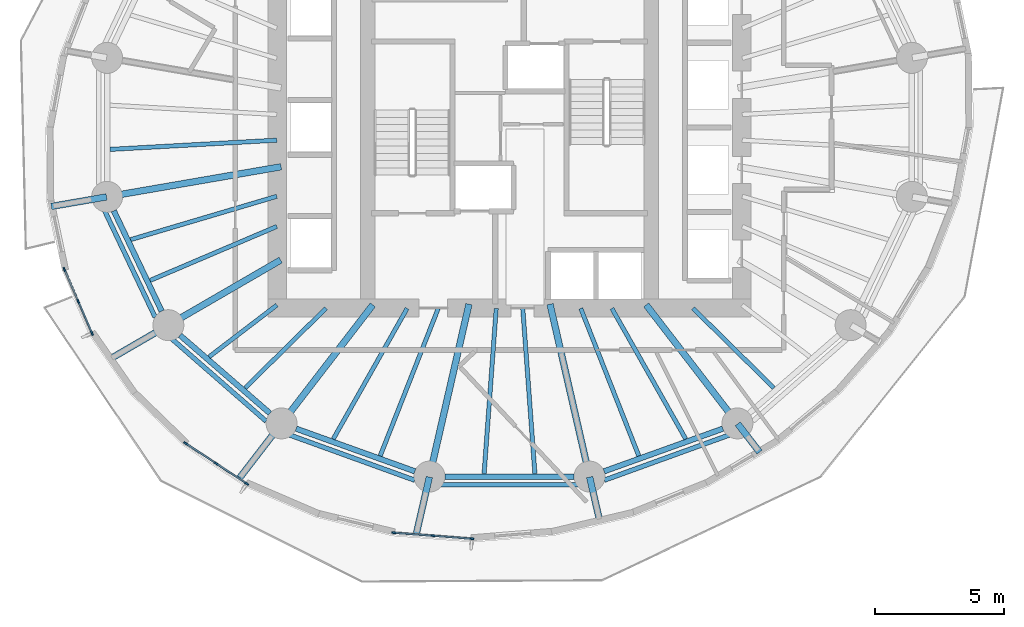
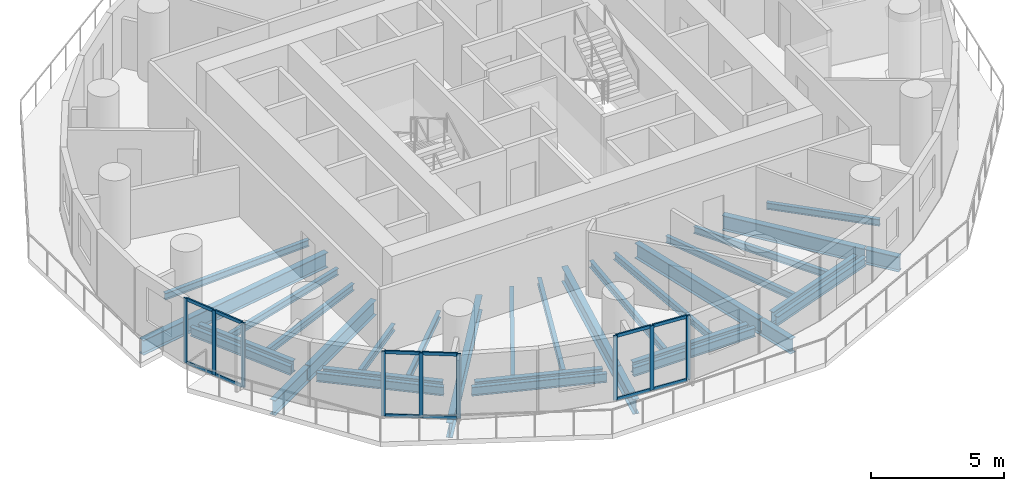
# One storey, part 2 of 14: 34 beams, 21 members, 3 elements without a shape of their own.
"""IFC4 building model written with IfcOpenShell, lengths in metres."""

import ifcopenshell
import ifcopenshell.guid

model = None  # the IFC model being written
_history = None  # IfcOwnerHistory: only IFC2X3 demands one
_inside = {}  # id of a spatial element -> (the spatial element, [elements in it])
_under = {}  # id of a project, library or spatial element -> (it, [spatial elements below it])
_declared = {}  # id of a project -> (the project, [libraries it declares])
_typed = {}  # id of a type object -> (the type object, [elements of that type])
_made_of = {}  # id of a material, layer set ... -> (it, [elements and type objects made of it])


def new_model(schema):
    """Start an empty IFC model of exactly this schema.

    Asked for "IFC4X3", IfcOpenShell would pick the latest addendum, in which some entities
    have other attributes; the version numbers below select the first issue.
    IFC2X3 requires an IfcOwnerHistory on every rooted entity: one is made here for all.
    """
    global model, _history
    if schema == "IFC4X3":
        model = ifcopenshell.file(schema_version=(4, 3, 0, 0))
    else:
        model = ifcopenshell.file(schema=schema)
    _inside.clear()
    _under.clear()
    _declared.clear()
    _typed.clear()
    _made_of.clear()
    _history = None
    if model.schema == "IFC2X3":
        org = make("IfcOrganization", Name="unknown")
        user = make(
            "IfcPersonAndOrganization",
            ThePerson=make("IfcPerson", FamilyName="unknown"),
            TheOrganization=org,
        )
        app = make(
            "IfcApplication",
            ApplicationDeveloper=org,
            Version="unknown",
            ApplicationFullName="unknown",
            ApplicationIdentifier="unknown",
        )
        _history = make(
            "IfcOwnerHistory",
            OwningUser=user,
            OwningApplication=app,
            ChangeAction="ADDED",
            CreationDate=0,
        )
    return model


def make(cls, **values):
    """One entity of the class cls with the attributes given. An attribute that is None is left unset."""
    return model.create_entity(
        cls, **{name: value for name, value in values.items() if value is not None}
    )


def rooted(cls, **values):
    """An entity with a GlobalId (a new one), such as an element, a storey or a relation."""
    return make(cls, GlobalId=ifcopenshell.guid.new(), OwnerHistory=_history, **values)


def si_unit(unit_type, name, prefix=None):
    """IfcSIUnit, for example si_unit("LENGTHUNIT", "METRE", prefix="MILLI")."""
    return make("IfcSIUnit", UnitType=unit_type, Prefix=prefix, Name=name)


def assignment(units):
    """IfcUnitAssignment: the units of a project."""
    return None if units is None else make("IfcUnitAssignment", Units=units)


def point(xyz):
    """IfcCartesianPoint."""
    return None if xyz is None else make("IfcCartesianPoint", Coordinates=xyz)


def direction(xyz):
    """IfcDirection."""
    return None if xyz is None else make("IfcDirection", DirectionRatios=xyz)


def frame(location, z_axis=None, x_axis=None):
    """IfcAxis2Placement3D, a coordinate frame: its origin and axes. An axis left out is left unset."""
    return make(
        "IfcAxis2Placement3D",
        Location=point(location),
        Axis=direction(z_axis),
        RefDirection=direction(x_axis),
    )


def frame_2d(location, x_axis=None):
    """IfcAxis2Placement2D, a coordinate frame in the plane: its origin and x axis."""
    return make(
        "IfcAxis2Placement2D", Location=point(location), RefDirection=direction(x_axis)
    )


def origin():
    """The frame at (0, 0, 0) with its axes left unset."""
    return frame((0.0, 0.0, 0.0))


def origin_2d():
    """The frame at (0, 0) in the plane with its x axis left unset."""
    return frame_2d((0.0, 0.0))


def place(relative_to, where):
    """IfcLocalPlacement: puts the frame where relative to a parent placement (None: the world)."""
    return make(
        "IfcLocalPlacement", PlacementRelTo=relative_to, RelativePlacement=where
    )


def context(
    kind, dimensions, precision=None, world=None, true_north=None, identifier=None
):
    """IfcGeometricRepresentationContext, for example the 3D "Model" context."""
    return make(
        "IfcGeometricRepresentationContext",
        ContextIdentifier=identifier,
        ContextType=kind,
        CoordinateSpaceDimension=dimensions,
        Precision=precision,
        WorldCoordinateSystem=world,
        TrueNorth=true_north,
    )


def subcontext(parent, identifier, kind, view, scale=None):
    """IfcGeometricRepresentationSubContext, for example "Body" below "Model"."""
    return make(
        "IfcGeometricRepresentationSubContext",
        ContextIdentifier=identifier,
        ContextType=kind,
        ParentContext=parent,
        TargetScale=scale,
        TargetView=view,
    )


def project(units=None, contexts=None):
    """IfcProject with its units and contexts."""
    return rooted(
        "IfcProject",
        Name="project",
        RepresentationContexts=contexts,
        UnitsInContext=assignment(units),
    )


def spatial(cls, under=None, at=None, **own):
    """A site, building, storey or space (cls), placed at a placement, below another one or the project."""
    s = rooted(cls, ObjectPlacement=at, **own)
    if under is not None:
        _under.setdefault(under.id(), (under, []))[1].append(s)
    return s


def profile(cls, at=None, kind="AREA", **sizes):
    """A parametric profile (cls). Its sizes go by their IFC names, for example OverallWidth=200.0."""
    return make(cls, ProfileType=kind, Position=at, **sizes)


def rectangle(**sizes):
    """IfcRectangleProfileDef."""
    return profile("IfcRectangleProfileDef", **sizes)


def i_section(**sizes):
    """IfcIShapeProfileDef."""
    return profile("IfcIShapeProfileDef", **sizes)


def extrude(swept, where, along, depth):
    """IfcExtrudedAreaSolid: the profile swept, set in the frame where, extruded along a direction by depth."""
    return make(
        "IfcExtrudedAreaSolid",
        SweptArea=swept,
        Position=where,
        ExtrudedDirection=direction(along),
        Depth=depth,
    )


def shape(context_of_items, identifier, shape_type, items):
    """IfcShapeRepresentation: the items that make up one representation, for example the "Body"."""
    return make(
        "IfcShapeRepresentation",
        ContextOfItems=context_of_items,
        RepresentationIdentifier=identifier,
        RepresentationType=shape_type,
        Items=items,
    )


def material(Name=None, Category=None):
    """IfcMaterial."""
    return make("IfcMaterial", Name=Name, Category=Category)


def material_profile(
    of_material, cross_section, Name=None, Category=None, Priority=None
):
    """IfcMaterialProfile: a cross section and its material."""
    return make(
        "IfcMaterialProfile",
        Name=Name,
        Material=of_material,
        Profile=cross_section,
        Priority=Priority,
        Category=Category,
    )


def profile_set(profiles, Name=None, composite=None):
    """IfcMaterialProfileSet."""
    return make(
        "IfcMaterialProfileSet",
        Name=Name,
        MaterialProfiles=profiles,
        CompositeProfile=composite,
    )


def made_of(thing, what):
    """Note that an element or type object is made of a material, layer set ...; save() writes the relation."""
    if what is not None:
        _made_of.setdefault(what.id(), (what, []))[1].append(thing)
    return thing


def type_object(cls, material=None, **own):
    """A type object (cls), such as IfcWallType, which elements share."""
    return made_of(rooted(cls, **own), material)


def element(
    cls,
    number,
    at=None,
    inside=None,
    cuts=None,
    type_object=None,
    material=None,
    context=None,
    identifier="Body",
    shape_type=None,
    held_by="IfcProductDefinitionShape",
    body=None,
    shapes=None,
    **own,
):
    """One element of the class cls, such as IfcWall. Its Tag is "e" and its number.

    at: its placement. inside: the storey or other place that contains it. cuts: it is an
    opening in that element (IfcRelVoidsElement). A single representation is given by context,
    identifier, shape_type and body (its items); several are given by shapes. held_by: the class
    of the entity that holds the representations. save() writes the other relations.
    """
    e = rooted(cls, Tag="e%d" % number, ObjectPlacement=at, **own)
    if body is not None:
        shapes = [shape(context, identifier, shape_type, body)]
    if shapes is not None:
        e.Representation = make(held_by, Representations=shapes)
    if inside is not None:
        _inside.setdefault(inside.id(), (inside, []))[1].append(e)
    if cuts is not None:
        rooted(
            "IfcRelVoidsElement", RelatingBuildingElement=cuts, RelatedOpeningElement=e
        )
    if type_object is not None:
        _typed.setdefault(type_object.id(), (type_object, []))[1].append(e)
    return made_of(e, material)


def aggregate(whole, parts):
    """IfcRelAggregates: a whole, such as a stair, and the parts it consists of."""
    return rooted("IfcRelAggregates", RelatingObject=whole, RelatedObjects=parts)


def save(model, path):
    """Write the relations noted so far, then the file.

    IfcRelAggregates (storeys below a building ...), IfcRelContainedInSpatialStructure (elements
    in a storey), IfcRelDefinesByType, IfcRelAssociatesMaterial and IfcRelDeclares: one each for
    every whole, place, type object, material and project.
    """
    for whole, parts in _under.values():
        aggregate(whole, parts)
    for where, things in _inside.values():
        rooted(
            "IfcRelContainedInSpatialStructure",
            RelatedElements=things,
            RelatingStructure=where,
        )
    for kind, things in _typed.values():
        rooted("IfcRelDefinesByType", RelatedObjects=things, RelatingType=kind)
    for what, things in _made_of.values():
        rooted("IfcRelAssociatesMaterial", RelatedObjects=things, RelatingMaterial=what)
    for by, libraries in _declared.values():
        rooted("IfcRelDeclares", RelatingContext=by, RelatedDefinitions=libraries)
    model.write(path)


model = new_model("IFC4")

# Units and contexts
model_context = context("Model", 3, precision=1e-05, world=origin(), true_north=direction((0.0, 1.0)))
body_context = subcontext(model_context, "Body", "Model", "MODEL_VIEW")
ifc_project = project(units=[si_unit("LENGTHUNIT", "METRE"), si_unit("AREAUNIT", "SQUARE_METRE"), si_unit("VOLUMEUNIT", "CUBIC_METRE"), si_unit("PLANEANGLEUNIT", "RADIAN"), si_unit("MASSUNIT", "GRAM", prefix="KILO")], contexts=[model_context])

# Site, building, storey
site_placement = place(None, origin())
site = spatial("IfcSite", under=ifc_project, at=site_placement, CompositionType="ELEMENT")
building_placement = place(site_placement, origin())
building = spatial("IfcBuilding", under=site, at=building_placement, Name="Veldorim Arch Residences", CompositionType="ELEMENT")
storey_placement = place(building_placement, frame((0.0, 0.0, 80.47998046875)))
storey = spatial("IfcBuildingStorey", under=building, at=storey_placement, Name="L23", CompositionType="ELEMENT", Elevation=80.47998046875)

# Beams
ifc_material_1 = material(Name="Steel S355", Category="steel")
ifc_material_profile_1 = material_profile(ifc_material_1, i_section(OverallWidth=0.2119140625, OverallDepth=0.54443359375, WebThickness=0.0126953125, FlangeThickness=0.021240234375, at=origin_2d()), Name="UB533x210x122")
ifc_profile_set_1 = profile_set([ifc_material_profile_1], Name="Steel S355")
beam_type_1 = type_object("IfcBeamType", Name="Structural Steel Beam UB533x210x122", PredefinedType="BEAM", material=ifc_profile_set_1)
beam_1_placement = place(storey_placement, frame((16.663818359375, 20.766357421875, -0.51220703125), z_axis=(0.430720154476, -0.902485539235, 0.0), x_axis=(0.902485539235, 0.430720154476, 0.0)))
element("IfcBeam", 1, at=beam_1_placement, inside=storey, type_object=beam_type_1, Name="L23 perimeter ring tie beam 09", PredefinedType="BEAM", context=body_context, shape_type="SweptSolid", body=[
    extrude(i_section(OverallWidth=0.2119140625, OverallDepth=0.54443359375, WebThickness=0.0126953125, FlangeThickness=0.021240234375, at=origin_2d()), origin(), (0.0, 0.0, 1.0), 4.312255859375),
])
beam_2_placement = place(storey_placement, frame((19.232666015625, 15.939697265625, -0.51220703125), z_axis=(0.755244952556, -0.655442645576, 0.0), x_axis=(0.655442645576, 0.755244952556, 0.0)))
element("IfcBeam", 2, at=beam_2_placement, inside=storey, type_object=beam_type_1, Name="L23 perimeter ring tie beam 10", PredefinedType="BEAM", context=body_context, shape_type="SweptSolid", body=[
    extrude(i_section(OverallWidth=0.2119140625, OverallDepth=0.54443359375, WebThickness=0.0126953125, FlangeThickness=0.021240234375, at=origin_2d()), origin(), (0.0, 0.0, 1.0), 4.608642578125),
])
beam_3_placement = place(storey_placement, frame((23.73095703125, 12.32275390625, -0.51220703125), z_axis=(0.941041944493, -0.338289903343, 0.0), x_axis=(0.338289903343, 0.941041944493, 0.0)))
element("IfcBeam", 3, at=beam_3_placement, inside=storey, type_object=beam_type_1, Name="L23 perimeter ring tie beam 11", PredefinedType="BEAM", context=body_context, shape_type="SweptSolid", body=[
    extrude(i_section(OverallWidth=0.2119140625, OverallDepth=0.54443359375, WebThickness=0.0126953125, FlangeThickness=0.021240234375, at=origin_2d()), origin(), (0.0, 0.0, 1.0), 4.890869140625),
])
beam_4_placement = place(storey_placement, frame((29.498046875, 10.465087890625, -0.51220703125), z_axis=(1.0, 0.0, 0.0), x_axis=(0.0, 1.0, 0.0)))
element("IfcBeam", 4, at=beam_4_placement, inside=storey, type_object=beam_type_1, Name="L23 perimeter ring tie beam 12", PredefinedType="BEAM", context=body_context, shape_type="SweptSolid", body=[
    extrude(i_section(OverallWidth=0.2119140625, OverallDepth=0.54443359375, WebThickness=0.0126953125, FlangeThickness=0.021240234375, at=origin_2d()), origin(), (0.0, 0.0, 1.0), 5.00390625),
])
beam_5_placement = place(storey_placement, frame((35.66650390625, 10.668212890625, -0.51220703125), z_axis=(0.941041944493, 0.338289903343, 0.0), x_axis=(-0.338289903343, 0.941041944493, 0.0)))
element("IfcBeam", 5, at=beam_5_placement, inside=storey, type_object=beam_type_1, Name="L23 perimeter ring tie beam 13", PredefinedType="BEAM", context=body_context, shape_type="SweptSolid", body=[
    extrude(i_section(OverallWidth=0.2119140625, OverallDepth=0.54443359375, WebThickness=0.0126953125, FlangeThickness=0.021240234375, at=origin_2d()), origin(), (0.0, 0.0, 1.0), 4.890869140625),
])
ifc_material_2 = material(Name="Steel S355", Category="steel")
ifc_material_profile_2 = material_profile(ifc_material_2, i_section(OverallWidth=0.25439453125, OverallDepth=0.6875, WebThickness=0.01318359375, FlangeThickness=0.02099609375, at=origin_2d()), Name="UB686x254x152")
ifc_profile_set_2 = profile_set([ifc_material_profile_2], Name="Steel S355")
beam_type_2 = type_object("IfcBeamType", Name="Structural Steel GIRDER UB686x254x152", PredefinedType="USERDEFINED", material=ifc_profile_set_2)
beam_6_placement = place(storey_placement, frame((23.147705078125, 22.4716796875, -0.583740234375), z_axis=(-0.985426622718, -0.17010106184, 0.0), x_axis=(0.17010106184, -0.985426622718, 0.0)))
element("IfcBeam", 6, at=beam_6_placement, inside=storey, type_object=beam_type_2, Name="L23 radial floor girder 09", ObjectType="GIRDER", PredefinedType="USERDEFINED", context=body_context, shape_type="SweptSolid", body=[
    extrude(i_section(OverallWidth=0.25439453125, OverallDepth=0.6875, WebThickness=0.01318359375, FlangeThickness=0.02099609375, at=origin_2d()), origin(), (0.0, 0.0, 1.0), 6.82177734375),
])
beam_7_placement = place(storey_placement, frame((16.3857421875, 21.304443359375, -0.583740234375), z_axis=(-0.985415364323, -0.170166270909, 0.0), x_axis=(0.170166270909, -0.985415364323, 0.0)))
element("IfcBeam", 7, at=beam_7_placement, inside=storey, type_object=beam_type_2, Name="L23 radial edge cantilever girder 09", ObjectType="GIRDER", PredefinedType="USERDEFINED", context=body_context, shape_type="SweptSolid", body=[
    extrude(i_section(OverallWidth=0.25439453125, OverallDepth=0.6875, WebThickness=0.01318359375, FlangeThickness=0.02099609375, at=origin_2d()), origin(), (0.0, 0.0, 1.0), 2.175048828125),
])
beam_8_placement = place(storey_placement, frame((23.1298828125, 18.85595703125, -0.583740234375), z_axis=(-0.865048957682, -0.501687453314, 0.0), x_axis=(0.501687453314, -0.865048957682, 0.0)))
element("IfcBeam", 8, at=beam_8_placement, inside=storey, type_object=beam_type_2, Name="L23 radial floor girder 10", ObjectType="GIRDER", PredefinedType="USERDEFINED", context=body_context, shape_type="SweptSolid", body=[
    extrude(i_section(OverallWidth=0.25439453125, OverallDepth=0.6875, WebThickness=0.01318359375, FlangeThickness=0.02099609375, at=origin_2d()), origin(), (0.0, 0.0, 1.0), 5.009033203125),
])
beam_9_placement = place(storey_placement, frame((18.76220703125, 16.322998046875, -0.583740234375), z_axis=(-0.86504998688, -0.501685678687, 0.0), x_axis=(0.501685678687, -0.86504998688, 0.0)))
element("IfcBeam", 9, at=beam_9_placement, inside=storey, type_object=beam_type_2, Name="L23 radial edge cantilever girder 10", ObjectType="GIRDER", PredefinedType="USERDEFINED", context=body_context, shape_type="SweptSolid", body=[
    extrude(i_section(OverallWidth=0.25439453125, OverallDepth=0.6875, WebThickness=0.01318359375, FlangeThickness=0.02099609375, at=origin_2d()), origin(), (0.0, 0.0, 1.0), 2.5927734375),
])
beam_10_placement = place(storey_placement, frame((26.702392578125, 17.118896484375, -0.583740234375), z_axis=(-0.609994628196, -0.792405548676, 0.0), x_axis=(0.792405548676, -0.609994628196, 0.0)))
element("IfcBeam", 10, at=beam_10_placement, inside=storey, type_object=beam_type_2, Name="L23 radial floor girder 11", ObjectType="GIRDER", PredefinedType="USERDEFINED", context=body_context, shape_type="SweptSolid", body=[
    extrude(i_section(OverallWidth=0.25439453125, OverallDepth=0.6875, WebThickness=0.01318359375, FlangeThickness=0.02099609375, at=origin_2d()), origin(), (0.0, 0.0, 1.0), 5.776611328125),
])
beam_11_placement = place(storey_placement, frame((23.154296875, 12.510009765625, -0.583740234375), z_axis=(-0.609966828657, -0.792426948014, 0.0), x_axis=(0.792426948014, -0.609966828657, 0.0)))
element("IfcBeam", 11, at=beam_11_placement, inside=storey, type_object=beam_type_2, Name="L23 radial edge cantilever girder 11", ObjectType="GIRDER", PredefinedType="USERDEFINED", context=body_context, shape_type="SweptSolid", body=[
    extrude(i_section(OverallWidth=0.25439453125, OverallDepth=0.6875, WebThickness=0.01318359375, FlangeThickness=0.02099609375, at=origin_2d()), origin(), (0.0, 0.0, 1.0), 2.672119140625),
])
beam_12_placement = place(storey_placement, frame((30.42919921875, 17.146240234375, -0.583740234375), z_axis=(-0.223374742148, -0.97473264261, 0.0), x_axis=(0.97473264261, -0.223374742148, 0.0)))
element("IfcBeam", 12, at=beam_12_placement, inside=storey, type_object=beam_type_2, Name="L23 radial floor girder 12", ObjectType="GIRDER", PredefinedType="USERDEFINED", context=body_context, shape_type="SweptSolid", body=[
    extrude(i_section(OverallWidth=0.25439453125, OverallDepth=0.6875, WebThickness=0.01318359375, FlangeThickness=0.02099609375, at=origin_2d()), origin(), (0.0, 0.0, 1.0), 6.834228515625),
])
beam_13_placement = place(storey_placement, frame((28.8935546875, 10.44580078125, -0.583740234375), z_axis=(-0.223344244507, -0.974739631104, 0.0), x_axis=(0.974739631104, -0.223344244507, 0.0)))
element("IfcBeam", 13, at=beam_13_placement, inside=storey, type_object=beam_type_2, Name="L23 radial edge cantilever girder 12", ObjectType="GIRDER", PredefinedType="USERDEFINED", context=body_context, shape_type="SweptSolid", body=[
    extrude(i_section(OverallWidth=0.25439453125, OverallDepth=0.6875, WebThickness=0.01318359375, FlangeThickness=0.02099609375, at=origin_2d()), origin(), (0.0, 0.0, 1.0), 2.271484375),
])
beam_14_placement = place(storey_placement, frame((33.57080078125, 17.146240234375, -0.583740234375), z_axis=(0.223374742148, -0.97473264261, 0.0), x_axis=(0.97473264261, 0.223374742148, 0.0)))
element("IfcBeam", 14, at=beam_14_placement, inside=storey, type_object=beam_type_2, Name="L23 radial floor girder 13", ObjectType="GIRDER", PredefinedType="USERDEFINED", context=body_context, shape_type="SweptSolid", body=[
    extrude(i_section(OverallWidth=0.25439453125, OverallDepth=0.6875, WebThickness=0.01318359375, FlangeThickness=0.02099609375, at=origin_2d()), origin(), (0.0, 0.0, 1.0), 6.834228515625),
])
beam_15_placement = place(storey_placement, frame((35.1064453125, 10.44580078125, -0.583740234375), z_axis=(0.223279477519, -0.974754469043, 0.0), x_axis=(0.974754469043, 0.223279477519, 0.0)))
element("IfcBeam", 15, at=beam_15_placement, inside=storey, type_object=beam_type_2, Name="L23 radial edge cantilever girder 13", ObjectType="GIRDER", PredefinedType="USERDEFINED", context=body_context, shape_type="SweptSolid", body=[
    extrude(i_section(OverallWidth=0.25439453125, OverallDepth=0.6875, WebThickness=0.01318359375, FlangeThickness=0.02099609375, at=origin_2d()), origin(), (0.0, 0.0, 1.0), 1.74951171875),
])
beam_16_placement = place(storey_placement, frame((37.297607421875, 17.118896484375, -0.583740234375), z_axis=(0.609994628196, -0.792405548676, 0.0), x_axis=(0.792405548676, 0.609994628196, 0.0)))
element("IfcBeam", 16, at=beam_16_placement, inside=storey, type_object=beam_type_2, Name="L23 radial floor girder 14", ObjectType="GIRDER", PredefinedType="USERDEFINED", context=body_context, shape_type="SweptSolid", body=[
    extrude(i_section(OverallWidth=0.25439453125, OverallDepth=0.6875, WebThickness=0.01318359375, FlangeThickness=0.02099609375, at=origin_2d()), origin(), (0.0, 0.0, 1.0), 5.776611328125),
])
beam_17_placement = place(storey_placement, frame((40.845703125, 12.510009765625, -0.583740234375), z_axis=(0.609991800873, -0.792407725144, 0.0), x_axis=(0.792407725144, 0.609991800873, 0.0)))
element("IfcBeam", 17, at=beam_17_placement, inside=storey, type_object=beam_type_2, Name="L23 radial edge cantilever girder 14", ObjectType="GIRDER", PredefinedType="USERDEFINED", context=body_context, shape_type="SweptSolid", body=[
    extrude(i_section(OverallWidth=0.25439453125, OverallDepth=0.6875, WebThickness=0.01318359375, FlangeThickness=0.02099609375, at=origin_2d()), origin(), (0.0, 0.0, 1.0), 1.38525390625),
])
ifc_material_3 = material(Name="Steel S355", Category="steel")
ifc_material_profile_3 = material_profile(ifc_material_3, i_section(OverallWidth=0.165771484375, OverallDepth=0.306640625, WebThickness=0.006591796875, FlangeThickness=0.01171875, at=origin_2d()), Name="UB305x165x46")
ifc_profile_set_3 = profile_set([ifc_material_profile_3], Name="Steel S355")
beam_type_3 = type_object("IfcBeamType", Name="Structural Steel Joist UB305x165x46", PredefinedType="JOIST", material=ifc_profile_set_3)
beam_18_placement = place(storey_placement, frame((22.97998046875, 23.501708984375, -0.393310546875), z_axis=(-0.99847713097, -0.055167190702, 0.0), x_axis=(0.055167190702, -0.99847713097, 0.0)))
element("IfcBeam", 18, at=beam_18_placement, inside=storey, type_object=beam_type_3, Name="L23 secondary radial floor joist 08-2", PredefinedType="JOIST", context=body_context, shape_type="SweptSolid", body=[
    extrude(i_section(OverallWidth=0.165771484375, OverallDepth=0.306640625, WebThickness=0.006591796875, FlangeThickness=0.01171875, at=origin_2d()), origin(), (0.0, 0.0, 1.0), 6.474365234375),
])
beam_19_placement = place(storey_placement, frame((22.980712890625, 21.326416015625, -0.393310546875), z_axis=(-0.958753061488, -0.284240333324, 0.0), x_axis=(0.284240333324, -0.958753061488, 0.0)))
element("IfcBeam", 19, at=beam_19_placement, inside=storey, type_object=beam_type_3, Name="L23 secondary radial floor joist 09-1", PredefinedType="JOIST", context=body_context, shape_type="SweptSolid", body=[
    extrude(i_section(OverallWidth=0.165771484375, OverallDepth=0.306640625, WebThickness=0.006591796875, FlangeThickness=0.01171875, at=origin_2d()), origin(), (0.0, 0.0, 1.0), 5.906005859375),
])
beam_20_placement = place(storey_placement, frame((22.981689453125, 20.158447265625, -0.393310546875), z_axis=(-0.919997395122, -0.391924473552, 0.0), x_axis=(0.391924473552, -0.919997395122, 0.0)))
element("IfcBeam", 20, at=beam_20_placement, inside=storey, type_object=beam_type_3, Name="L23 secondary radial floor joist 09-2", PredefinedType="JOIST", context=body_context, shape_type="SweptSolid", body=[
    extrude(i_section(OverallWidth=0.165771484375, OverallDepth=0.306640625, WebThickness=0.006591796875, FlangeThickness=0.01171875, at=origin_2d()), origin(), (0.0, 0.0, 1.0), 5.334716796875),
])
beam_21_placement = place(storey_placement, frame((22.984130859375, 17.111572265625, -0.393310546875), z_axis=(-0.794594763594, -0.60714014994, 0.0), x_axis=(0.60714014994, -0.794594763594, 0.0)))
element("IfcBeam", 21, at=beam_21_placement, inside=storey, type_object=beam_type_3, Name="L23 secondary radial floor joist 10-1", PredefinedType="JOIST", context=body_context, shape_type="SweptSolid", body=[
    extrude(i_section(OverallWidth=0.165771484375, OverallDepth=0.306640625, WebThickness=0.006591796875, FlangeThickness=0.01171875, at=origin_2d()), origin(), (0.0, 0.0, 1.0), 3.30419921875),
])
beam_22_placement = place(storey_placement, frame((24.885986328125, 16.986083984375, -0.393310546875), z_axis=(-0.712111629941, -0.702066255066, 0.0), x_axis=(0.702066255066, -0.712111629941, 0.0)))
element("IfcBeam", 22, at=beam_22_placement, inside=storey, type_object=beam_type_3, Name="L23 secondary radial floor joist 10-2", PredefinedType="JOIST", context=body_context, shape_type="SweptSolid", body=[
    extrude(i_section(OverallWidth=0.165771484375, OverallDepth=0.306640625, WebThickness=0.006591796875, FlangeThickness=0.01171875, at=origin_2d()), origin(), (0.0, 0.0, 1.0), 4.39892578125),
])
beam_23_placement = place(storey_placement, frame((28.03173828125, 16.982666015625, -0.393310546875), z_axis=(-0.492227411199, -0.870466642476, 0.0), x_axis=(0.870466642476, -0.492227411199, 0.0)))
element("IfcBeam", 23, at=beam_23_placement, inside=storey, type_object=beam_type_3, Name="L23 secondary radial floor joist 11-1", PredefinedType="JOIST", context=body_context, shape_type="SweptSolid", body=[
    extrude(i_section(OverallWidth=0.165771484375, OverallDepth=0.306640625, WebThickness=0.006591796875, FlangeThickness=0.01171875, at=origin_2d()), origin(), (0.0, 0.0, 1.0), 5.81494140625),
])
beam_24_placement = place(storey_placement, frame((29.238037109375, 16.9814453125, -0.393310546875), z_axis=(-0.366194870364, -0.930538186707, 0.0), x_axis=(0.930538186707, -0.366194870364, 0.0)))
element("IfcBeam", 24, at=beam_24_placement, inside=storey, type_object=beam_type_3, Name="L23 secondary radial floor joist 11-2", PredefinedType="JOIST", context=body_context, shape_type="SweptSolid", body=[
    extrude(i_section(OverallWidth=0.165771484375, OverallDepth=0.306640625, WebThickness=0.006591796875, FlangeThickness=0.01171875, at=origin_2d()), origin(), (0.0, 0.0, 1.0), 6.1396484375),
])
for number, where, z_axis, x_axis, name in (
    (25, (31.485107421875, 16.97998046875, -0.393310546875), (-0.073143494169, -0.997321427254, 0.0), (0.997321427254, -0.073143494169, 0.0), "L23 secondary radial floor joist 12-1"),
    (26, (32.514892578125, 16.97998046875, -0.393310546875), (0.073143494169, -0.997321427254, 0.0), (0.997321427254, 0.073143494169, 0.0), "L23 secondary radial floor joist 12-2"),
):
    element("IfcBeam", number, at=place(storey_placement, frame(where, z_axis=z_axis, x_axis=x_axis)), inside=storey, type_object=beam_type_3, Name=name, PredefinedType="JOIST", context=body_context, shape_type="SweptSolid", body=[
        extrude(i_section(OverallWidth=0.165771484375, OverallDepth=0.306640625, WebThickness=0.006591796875, FlangeThickness=0.01171875, at=origin_2d()), origin(), (0.0, 0.0, 1.0), 6.421875),
    ])
beam_25_placement = place(storey_placement, frame((34.761962890625, 16.9814453125, -0.393310546875), z_axis=(0.366194870364, -0.930538186707, 0.0), x_axis=(0.930538186707, 0.366194870364, 0.0)))
element("IfcBeam", 27, at=beam_25_placement, inside=storey, type_object=beam_type_3, Name="L23 secondary radial floor joist 13-1", PredefinedType="JOIST", context=body_context, shape_type="SweptSolid", body=[
    extrude(i_section(OverallWidth=0.165771484375, OverallDepth=0.306640625, WebThickness=0.006591796875, FlangeThickness=0.01171875, at=origin_2d()), origin(), (0.0, 0.0, 1.0), 6.1396484375),
])
beam_26_placement = place(storey_placement, frame((35.96826171875, 16.982666015625, -0.393310546875), z_axis=(0.492227411199, -0.870466642476, 0.0), x_axis=(0.870466642476, 0.492227411199, 0.0)))
element("IfcBeam", 28, at=beam_26_placement, inside=storey, type_object=beam_type_3, Name="L23 secondary radial floor joist 13-2", PredefinedType="JOIST", context=body_context, shape_type="SweptSolid", body=[
    extrude(i_section(OverallWidth=0.165771484375, OverallDepth=0.306640625, WebThickness=0.006591796875, FlangeThickness=0.01171875, at=origin_2d()), origin(), (0.0, 0.0, 1.0), 5.81494140625),
])
beam_27_placement = place(storey_placement, frame((39.114013671875, 16.986083984375, -0.393310546875), z_axis=(0.712111629941, -0.702066255066, 0.0), x_axis=(0.702066255066, 0.712111629941, 0.0)))
element("IfcBeam", 29, at=beam_27_placement, inside=storey, type_object=beam_type_3, Name="L23 secondary radial floor joist 14-1", PredefinedType="JOIST", context=body_context, shape_type="SweptSolid", body=[
    extrude(i_section(OverallWidth=0.165771484375, OverallDepth=0.306640625, WebThickness=0.006591796875, FlangeThickness=0.01171875, at=origin_2d()), origin(), (0.0, 0.0, 1.0), 4.39892578125),
])
ifc_material_4 = material(Name="Steel S355", Category="steel")
ifc_material_profile_4 = material_profile(ifc_material_4, i_section(OverallWidth=0.1787109375, OverallDepth=0.409423828125, WebThickness=0.0087890625, FlangeThickness=0.014404296875, at=origin_2d()), Name="UB406x178x67")
ifc_profile_set_4 = profile_set([ifc_material_profile_4], Name="Steel S355")
beam_type_4 = type_object("IfcBeamType", Name="Structural Steel Spandrel UB406x178x67", PredefinedType="SPANDREL", material=ifc_profile_set_4)
beam_28_placement = place(storey_placement, frame((16.306884765625, 20.774658203125, -0.464599609375), z_axis=(0.428857472204, -0.903372165021, 0.0), x_axis=(0.903372165021, 0.428857472204, 0.0)))
element("IfcBeam", 30, at=beam_28_placement, inside=storey, type_object=beam_type_4, Name="L23 perimeter chord spandrel beam 09", PredefinedType="SPANDREL", context=body_context, shape_type="SweptSolid", body=[
    extrude(i_section(OverallWidth=0.1787109375, OverallDepth=0.409423828125, WebThickness=0.0087890625, FlangeThickness=0.014404296875, at=origin_2d()), origin(), (0.0, 0.0, 1.0), 4.572021484375),
])
beam_29_placement = place(storey_placement, frame((18.891845703125, 15.8203125, -0.464599609375), z_axis=(0.753323239074, -0.65765043714, 0.0), x_axis=(0.65765043714, 0.753323239074, 0.0)))
element("IfcBeam", 31, at=beam_29_placement, inside=storey, type_object=beam_type_4, Name="L23 perimeter chord spandrel beam 10", PredefinedType="SPANDREL", context=body_context, shape_type="SweptSolid", body=[
    extrude(i_section(OverallWidth=0.1787109375, OverallDepth=0.409423828125, WebThickness=0.0087890625, FlangeThickness=0.014404296875, at=origin_2d()), origin(), (0.0, 0.0, 1.0), 4.879150390625),
])
beam_30_placement = place(storey_placement, frame((23.461669921875, 12.08447265625, -0.464599609375), z_axis=(0.940307501418, -0.340326024244, 0.0), x_axis=(0.340326024244, 0.940307501418, 0.0)))
element("IfcBeam", 32, at=beam_30_placement, inside=storey, type_object=beam_type_4, Name="L23 perimeter chord spandrel beam 11", PredefinedType="SPANDREL", context=body_context, shape_type="SweptSolid", body=[
    extrude(i_section(OverallWidth=0.1787109375, OverallDepth=0.409423828125, WebThickness=0.0087890625, FlangeThickness=0.014404296875, at=origin_2d()), origin(), (0.0, 0.0, 1.0), 5.175048828125),
])
beam_31_placement = place(storey_placement, frame((29.352294921875, 10.1435546875, -0.464599609375), z_axis=(1.0, 0.0, 0.0), x_axis=(0.0, 1.0, 0.0)))
element("IfcBeam", 33, at=beam_31_placement, inside=storey, type_object=beam_type_4, Name="L23 perimeter chord spandrel beam 12", PredefinedType="SPANDREL", context=body_context, shape_type="SweptSolid", body=[
    extrude(i_section(OverallWidth=0.1787109375, OverallDepth=0.409423828125, WebThickness=0.0087890625, FlangeThickness=0.014404296875, at=origin_2d()), origin(), (0.0, 0.0, 1.0), 5.29541015625),
])
beam_32_placement = place(storey_placement, frame((35.672119140625, 10.3232421875, -0.464599609375), z_axis=(0.940307501418, 0.340326024244, 0.0), x_axis=(-0.340326024244, 0.940307501418, 0.0)))
element("IfcBeam", 34, at=beam_32_placement, inside=storey, type_object=beam_type_4, Name="L23 perimeter chord spandrel beam 13", PredefinedType="SPANDREL", context=body_context, shape_type="SweptSolid", body=[
    extrude(i_section(OverallWidth=0.1787109375, OverallDepth=0.409423828125, WebThickness=0.0087890625, FlangeThickness=0.014404296875, at=origin_2d()), origin(), (0.0, 0.0, 1.0), 5.175048828125),
])

# Curtain wall, members
ifc_material_5 = material(Name="Aluminium", Category="aluminium")
curtain_wall_type = type_object("IfcCurtainWallType", Name="Zone 2 Solar-Control Unitised Curtain Wall", PredefinedType="NOTDEFINED", material=ifc_material_5)
curtain_wall_1_placement = place(storey_placement, origin())
curtain_wall_1 = element("IfcCurtainWall", 35, at=curtain_wall_1_placement, inside=storey, type_object=curtain_wall_type, Name="L23 unitised curtain wall bay 19", PredefinedType="NOTDEFINED")
ifc_material_6 = material(Name="Aluminium", Category="aluminium")
ifc_material_profile_5 = material_profile(ifc_material_6, rectangle(XDim=0.06494140625, YDim=0.1650390625, at=origin_2d()), Name="ALU_MUL_65x165")
ifc_profile_set_5 = profile_set([ifc_material_profile_5], Name="Aluminium")
member_type_1 = type_object("IfcMemberType", Name="Zone 2 Solar-Control Unitised Curtain Wall Mullion 65x165", PredefinedType="MULLION", material=ifc_profile_set_5)
member_1_placement = place(storey_placement, frame((15.8203125, 16.01953125, 0.0), z_axis=(0.0, 0.0, 1.0), x_axis=(-0.917796682643, -0.397050688615, 0.0)))
member_1 = element("IfcMember", 36, at=member_1_placement, type_object=member_type_1, Name="CW-Z2 mullion 1", PredefinedType="MULLION", context=body_context, shape_type="SweptSolid", body=[
    extrude(rectangle(XDim=0.06494140625, YDim=0.1650390625, at=origin_2d()), origin(), (0.0, 0.0, 1.0), 2.9599609375),
])
member_2_placement = place(storey_placement, frame((15.285888671875, 17.255126953125, 0.0), z_axis=(0.0, 0.0, 1.0), x_axis=(-0.917796682643, -0.397050688615, 0.0)))
member_2 = element("IfcMember", 37, at=member_2_placement, type_object=member_type_1, Name="CW-Z2 mullion 2", PredefinedType="MULLION", context=body_context, shape_type="SweptSolid", body=[
    extrude(rectangle(XDim=0.06494140625, YDim=0.1650390625, at=origin_2d()), origin(), (0.0, 0.0, 1.0), 2.9599609375),
])
member_3_placement = place(storey_placement, frame((14.751220703125, 18.49072265625, 0.0), z_axis=(0.0, 0.0, 1.0), x_axis=(-0.917796682643, -0.397050688615, 0.0)))
member_3 = element("IfcMember", 38, at=member_3_placement, type_object=member_type_1, Name="CW-Z2 mullion 3", PredefinedType="MULLION", context=body_context, shape_type="SweptSolid", body=[
    extrude(rectangle(XDim=0.06494140625, YDim=0.1650390625, at=origin_2d()), origin(), (0.0, 0.0, 1.0), 2.9599609375),
])

curtain_wall_2_placement = place(storey_placement, origin())
curtain_wall_2 = element("IfcCurtainWall", 39, at=curtain_wall_2_placement, inside=storey, type_object=curtain_wall_type, Name="L23 unitised curtain wall bay 22", PredefinedType="NOTDEFINED")
member_4_placement = place(storey_placement, frame((21.813720703125, 10.189697265625, 0.0), z_axis=(0.0, 0.0, 1.0), x_axis=(-0.551503414596, -0.834172634224, 0.0)))
member_4 = element("IfcMember", 40, at=member_4_placement, type_object=member_type_1, Name="CW-Z2 mullion 1", PredefinedType="MULLION", context=body_context, shape_type="SweptSolid", body=[
    extrude(rectangle(XDim=0.06494140625, YDim=0.1650390625, at=origin_2d()), origin(), (0.0, 0.0, 1.0), 2.9599609375),
])
member_5_placement = place(storey_placement, frame((20.6318359375, 10.970947265625, 0.0), z_axis=(0.0, 0.0, 1.0), x_axis=(-0.551503414596, -0.834172634224, 0.0)))
member_5 = element("IfcMember", 41, at=member_5_placement, type_object=member_type_1, Name="CW-Z2 mullion 2", PredefinedType="MULLION", context=body_context, shape_type="SweptSolid", body=[
    extrude(rectangle(XDim=0.06494140625, YDim=0.1650390625, at=origin_2d()), origin(), (0.0, 0.0, 1.0), 2.9599609375),
])
member_6_placement = place(storey_placement, frame((19.4501953125, 11.752197265625, 0.0), z_axis=(0.0, 0.0, 1.0), x_axis=(-0.551503414596, -0.834172634224, 0.0)))
member_6 = element("IfcMember", 42, at=member_6_placement, type_object=member_type_1, Name="CW-Z2 mullion 3", PredefinedType="MULLION", context=body_context, shape_type="SweptSolid", body=[
    extrude(rectangle(XDim=0.06494140625, YDim=0.1650390625, at=origin_2d()), origin(), (0.0, 0.0, 1.0), 2.9599609375),
])

curtain_wall_3_placement = place(storey_placement, origin())
curtain_wall_3 = element("IfcCurtainWall", 43, at=curtain_wall_3_placement, inside=storey, type_object=curtain_wall_type, Name="L23 unitised curtain wall bay 25", PredefinedType="NOTDEFINED")
member_7_placement = place(storey_placement, frame((30.54150390625, 8.056884765625, 0.0), z_axis=(0.0, 0.0, 1.0), x_axis=(-0.076696498885, -0.997054485502, 0.0)))
member_7 = element("IfcMember", 44, at=member_7_placement, type_object=member_type_1, Name="CW-Z2 mullion 1", PredefinedType="MULLION", context=body_context, shape_type="SweptSolid", body=[
    extrude(rectangle(XDim=0.06494140625, YDim=0.1650390625, at=origin_2d()), origin(), (0.0, 0.0, 1.0), 2.9599609375),
])
member_8_placement = place(storey_placement, frame((29.027587890625, 8.17333984375, 0.0), z_axis=(0.0, 0.0, 1.0), x_axis=(-0.076696498885, -0.997054485502, 0.0)))
member_8 = element("IfcMember", 45, at=member_8_placement, type_object=member_type_1, Name="CW-Z2 mullion 2", PredefinedType="MULLION", context=body_context, shape_type="SweptSolid", body=[
    extrude(rectangle(XDim=0.06494140625, YDim=0.1650390625, at=origin_2d()), origin(), (0.0, 0.0, 1.0), 2.9599609375),
])
member_9_placement = place(storey_placement, frame((27.513671875, 8.289794921875, 0.0), z_axis=(0.0, 0.0, 1.0), x_axis=(-0.076696498885, -0.997054485502, 0.0)))
member_9 = element("IfcMember", 46, at=member_9_placement, type_object=member_type_1, Name="CW-Z2 mullion 3", PredefinedType="MULLION", context=body_context, shape_type="SweptSolid", body=[
    extrude(rectangle(XDim=0.06494140625, YDim=0.1650390625, at=origin_2d()), origin(), (0.0, 0.0, 1.0), 2.9599609375),
])

# Member
ifc_material_7 = material(Name="Aluminium", Category="aluminium")
ifc_material_profile_6 = material_profile(ifc_material_7, rectangle(XDim=0.06494140625, YDim=0.14501953125, at=origin_2d()), Name="ALU_TRN_65x145")
ifc_profile_set_6 = profile_set([ifc_material_profile_6], Name="Aluminium")
member_type_2 = type_object("IfcMemberType", Name="Zone 2 Solar-Control Unitised Curtain Wall Transom 65x145", PredefinedType="USERDEFINED", material=ifc_profile_set_6)
member_10_placement = place(storey_placement, frame((15.807373046875, 16.04931640625, 0.032470703125), z_axis=(-0.396906812101, 0.917858912093, 0.0), x_axis=(-0.917858912093, -0.396906812101, 0.0)))
member_10 = element("IfcMember", 47, at=member_10_placement, type_object=member_type_2, Name="CW-Z2 transom 1.1", ObjectType="TRANSOM", PredefinedType="USERDEFINED", context=body_context, shape_type="SweptSolid", body=[
    extrude(rectangle(XDim=0.06494140625, YDim=0.14501953125, at=origin_2d()), origin(), (0.0, 0.0, 1.0), 1.28125),
])

member_11_placement = place(storey_placement, frame((15.807373046875, 16.04931640625, 2.927490234375), z_axis=(-0.396906812101, 0.917858912093, 0.0), x_axis=(-0.917858912093, -0.396906812101, 0.0)))
member_11 = element("IfcMember", 48, at=member_11_placement, type_object=member_type_2, Name="CW-Z2 transom 1.2", ObjectType="TRANSOM", PredefinedType="USERDEFINED", context=body_context, shape_type="SweptSolid", body=[
    extrude(rectangle(XDim=0.06494140625, YDim=0.14501953125, at=origin_2d()), origin(), (0.0, 0.0, 1.0), 1.28125),
])

member_12_placement = place(storey_placement, frame((15.27294921875, 17.284912109375, 0.032470703125), z_axis=(-0.397067322017, 0.91778948664, 0.0), x_axis=(-0.91778948664, -0.397067322017, 0.0)))
member_12 = element("IfcMember", 49, at=member_12_placement, type_object=member_type_2, Name="CW-Z2 transom 2.1", ObjectType="TRANSOM", PredefinedType="USERDEFINED", context=body_context, shape_type="SweptSolid", body=[
    extrude(rectangle(XDim=0.06494140625, YDim=0.14501953125, at=origin_2d()), origin(), (0.0, 0.0, 1.0), 1.28125),
])

member_13_placement = place(storey_placement, frame((15.27294921875, 17.284912109375, 2.927490234375), z_axis=(-0.397067322017, 0.91778948664, 0.0), x_axis=(-0.91778948664, -0.397067322017, 0.0)))
member_13 = element("IfcMember", 50, at=member_13_placement, type_object=member_type_2, Name="CW-Z2 transom 2.2", ObjectType="TRANSOM", PredefinedType="USERDEFINED", context=body_context, shape_type="SweptSolid", body=[
    extrude(rectangle(XDim=0.06494140625, YDim=0.14501953125, at=origin_2d()), origin(), (0.0, 0.0, 1.0), 1.28125),
])

aggregate(curtain_wall_1, [member_1, member_2, member_3, member_10, member_11, member_12, member_13])

member_14_placement = place(storey_placement, frame((21.78662109375, 10.20751953125, 0.032470703125), z_axis=(-0.834155806589, 0.551528866275, 0.0), x_axis=(-0.551528866275, -0.834155806589, 0.0)))
member_14 = element("IfcMember", 51, at=member_14_placement, type_object=member_type_2, Name="CW-Z2 transom 1.1", ObjectType="TRANSOM", PredefinedType="USERDEFINED", context=body_context, shape_type="SweptSolid", body=[
    extrude(rectangle(XDim=0.06494140625, YDim=0.14501953125, at=origin_2d()), origin(), (0.0, 0.0, 1.0), 1.351806640625),
])

member_15_placement = place(storey_placement, frame((21.78662109375, 10.20751953125, 2.927490234375), z_axis=(-0.834155806589, 0.551528866275, 0.0), x_axis=(-0.551528866275, -0.834155806589, 0.0)))
member_15 = element("IfcMember", 52, at=member_15_placement, type_object=member_type_2, Name="CW-Z2 transom 1.2", ObjectType="TRANSOM", PredefinedType="USERDEFINED", context=body_context, shape_type="SweptSolid", body=[
    extrude(rectangle(XDim=0.06494140625, YDim=0.14501953125, at=origin_2d()), origin(), (0.0, 0.0, 1.0), 1.351806640625),
])

member_16_placement = place(storey_placement, frame((20.604736328125, 10.98876953125, 0.032470703125), z_axis=(-0.834100860871, 0.551611959528, 0.0), x_axis=(-0.551611959528, -0.834100860871, 0.0)))
member_16 = element("IfcMember", 53, at=member_16_placement, type_object=member_type_2, Name="CW-Z2 transom 2.1", ObjectType="TRANSOM", PredefinedType="USERDEFINED", context=body_context, shape_type="SweptSolid", body=[
    extrude(rectangle(XDim=0.06494140625, YDim=0.14501953125, at=origin_2d()), origin(), (0.0, 0.0, 1.0), 1.351806640625),
])

member_17_placement = place(storey_placement, frame((20.604736328125, 10.98876953125, 2.927490234375), z_axis=(-0.834100860871, 0.551611959528, 0.0), x_axis=(-0.551611959528, -0.834100860871, 0.0)))
member_17 = element("IfcMember", 54, at=member_17_placement, type_object=member_type_2, Name="CW-Z2 transom 2.2", ObjectType="TRANSOM", PredefinedType="USERDEFINED", context=body_context, shape_type="SweptSolid", body=[
    extrude(rectangle(XDim=0.06494140625, YDim=0.14501953125, at=origin_2d()), origin(), (0.0, 0.0, 1.0), 1.351806640625),
])

aggregate(curtain_wall_2, [member_4, member_5, member_6, member_14, member_15, member_16, member_17])

member_18_placement = place(storey_placement, frame((30.50927734375, 8.059326171875, 0.032470703125), z_axis=(-0.99704954324, 0.076760721237, 0.0), x_axis=(-0.076760721237, -0.99704954324, 0.0)))
member_18 = element("IfcMember", 55, at=member_18_placement, type_object=member_type_2, Name="CW-Z2 transom 1.1", ObjectType="TRANSOM", PredefinedType="USERDEFINED", context=body_context, shape_type="SweptSolid", body=[
    extrude(rectangle(XDim=0.06494140625, YDim=0.14501953125, at=origin_2d()), origin(), (0.0, 0.0, 1.0), 1.45361328125),
])

member_19_placement = place(storey_placement, frame((30.50927734375, 8.059326171875, 2.927490234375), z_axis=(-0.99704954324, 0.076760721237, 0.0), x_axis=(-0.076760721237, -0.99704954324, 0.0)))
member_19 = element("IfcMember", 56, at=member_19_placement, type_object=member_type_2, Name="CW-Z2 transom 1.2", ObjectType="TRANSOM", PredefinedType="USERDEFINED", context=body_context, shape_type="SweptSolid", body=[
    extrude(rectangle(XDim=0.06494140625, YDim=0.14501953125, at=origin_2d()), origin(), (0.0, 0.0, 1.0), 1.45361328125),
])

member_20_placement = place(storey_placement, frame((28.995361328125, 8.17578125, 0.032470703125), z_axis=(-0.99704954324, 0.076760721237, 0.0), x_axis=(-0.076760721237, -0.99704954324, 0.0)))
member_20 = element("IfcMember", 57, at=member_20_placement, type_object=member_type_2, Name="CW-Z2 transom 2.1", ObjectType="TRANSOM", PredefinedType="USERDEFINED", context=body_context, shape_type="SweptSolid", body=[
    extrude(rectangle(XDim=0.06494140625, YDim=0.14501953125, at=origin_2d()), origin(), (0.0, 0.0, 1.0), 1.45361328125),
])

member_21_placement = place(storey_placement, frame((28.995361328125, 8.17578125, 2.927490234375), z_axis=(-0.99704954324, 0.076760721237, 0.0), x_axis=(-0.076760721237, -0.99704954324, 0.0)))
member_21 = element("IfcMember", 58, at=member_21_placement, type_object=member_type_2, Name="CW-Z2 transom 2.2", ObjectType="TRANSOM", PredefinedType="USERDEFINED", context=body_context, shape_type="SweptSolid", body=[
    extrude(rectangle(XDim=0.06494140625, YDim=0.14501953125, at=origin_2d()), origin(), (0.0, 0.0, 1.0), 1.45361328125),
])

aggregate(curtain_wall_3, [member_7, member_8, member_9, member_18, member_19, member_20, member_21])

save(model, "model.ifc")
